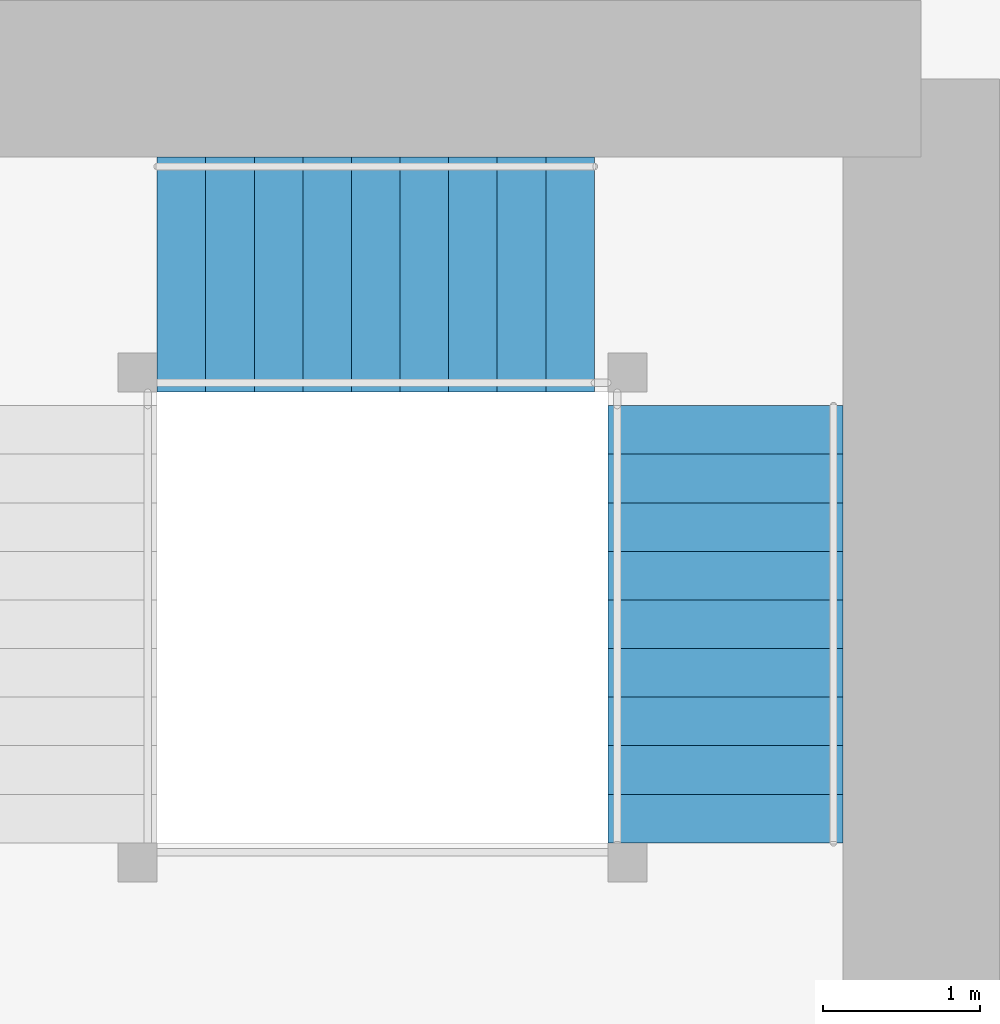
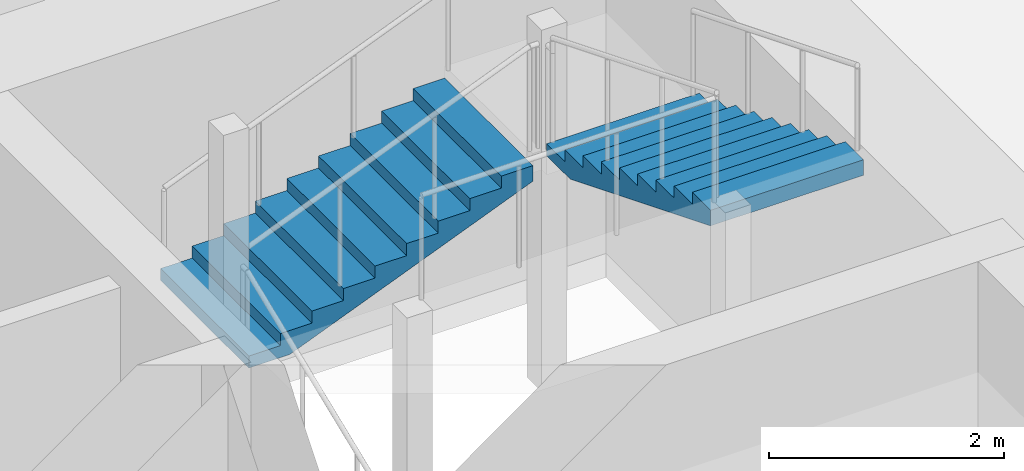
# One storey, part 31 of 39: 2 stair flights, 1 element without a shape of its own.
"""IFC4 building model written with IfcOpenShell, lengths in metres."""

from ifc_helpers import new_model, si_unit, direction, frame, origin, place, context, subcontext, project, spatial, polyline, outline, extrude, material, type_object, element, aggregate, save


model = new_model("IFC4")

# Units and contexts
model_context = context("Model", 3, precision=1e-05, world=origin(), true_north=direction((0.0, 1.0)))
body_context = subcontext(model_context, "Body", "Model", "MODEL_VIEW")
ifc_project = project(units=[si_unit("LENGTHUNIT", "METRE"), si_unit("AREAUNIT", "SQUARE_METRE"), si_unit("VOLUMEUNIT", "CUBIC_METRE"), si_unit("PLANEANGLEUNIT", "RADIAN"), si_unit("MASSUNIT", "GRAM", prefix="KILO")], contexts=[model_context])

# Site, building, storey
site_placement = place(None, origin())
site = spatial("IfcSite", under=ifc_project, at=site_placement, CompositionType="ELEMENT")
building_placement = place(site_placement, origin())
building = spatial("IfcBuilding", under=site, at=building_placement, Name="Rekha Terrace Tower", CompositionType="ELEMENT")
storey_placement = place(building_placement, frame((0.0, 0.0, 180.199951171875)))
storey = spatial("IfcBuildingStorey", under=building, at=storey_placement, Name="L45", CompositionType="ELEMENT", Elevation=180.199951171875)

# Stair, stair flights
ifc_material = material(Name="Concrete M40", Category="concrete")
stair_type = type_object("IfcStairType", Name="ST30 stair, 30 risers of 125, going 310, 1500 wide flights, 3 flights", PredefinedType="HALF_TURN_STAIR", material=ifc_material)
stair_placement = place(storey_placement, origin())
stair = element("IfcStair", 1, at=stair_placement, inside=storey, type_object=stair_type, Name="Stair ST2 L45 to L46", PredefinedType="HALF_TURN_STAIR")
stair_flight_type = type_object("IfcStairFlightType", Name="SF10 stair flight, 10 risers of 125, going 310, 1500 wide", PredefinedType="STRAIGHT", material=ifc_material)
stair_flight_1_placement = place(storey_placement, frame((45.52490234375, 44.949951171875, 1.25), z_axis=(0.0, 0.0, 1.0), x_axis=(1.0, 0.0, 0.0)))
stair_flight_1 = element("IfcStairFlight", 2, at=stair_flight_1_placement, type_object=stair_flight_type, Name="ST2 flight 2", NumberOfRisers=10, NumberOfTreads=9, PredefinedType="STRAIGHT", RiserHeight=0.125, TreadLength=0.31, context=body_context, shape_type="SweptSolid", body=[
    extrude(outline(polyline([(0.0, 0.0), (0.0, 0.125), (0.31005859375, 0.125), (0.31005859375, 0.25), (0.6201171875, 0.25), (0.6201171875, 0.375), (0.929931640625, 0.375), (0.929931640625, 0.5), (1.239990234375, 0.5), (1.239990234375, 0.625), (1.550048828125, 0.625), (1.550048828125, 0.75), (1.860107421875, 0.75), (1.860107421875, 0.875), (2.169921875, 0.875), (2.169921875, 1.0), (2.47998046875, 1.0), (2.47998046875, 1.125), (2.7900390625, 1.125), (2.7900390625, 1.25), (2.7900390625, 0.96337890625), (0.40087890625, 0.0), (0.0, 0.0)])), frame((0.0, 0.75, 0.0), z_axis=(0.0, -1.0, 0.0), x_axis=(1.0, 0.0, 0.0)), (0.0, 0.0, 1.0), 1.5),
])
stair_flight_2_placement = place(storey_placement, frame((49.14990234375, 44.114990234375, 2.5), z_axis=(0.0, 0.0, 1.0), x_axis=(0.0, -1.0, 0.0)))
stair_flight_2 = element("IfcStairFlight", 3, at=stair_flight_2_placement, type_object=stair_flight_type, Name="ST2 flight 3", NumberOfRisers=10, NumberOfTreads=9, PredefinedType="STRAIGHT", RiserHeight=0.125, TreadLength=0.31, context=body_context, shape_type="SweptSolid", body=[
    extrude(outline(polyline([(0.0, 0.0), (0.0, 0.125), (0.31005859375, 0.125), (0.31005859375, 0.25), (0.6201171875, 0.25), (0.6201171875, 0.375), (0.929931640625, 0.375), (0.929931640625, 0.5), (1.239990234375, 0.5), (1.239990234375, 0.625), (1.550048828125, 0.625), (1.550048828125, 0.75), (1.860107421875, 0.75), (1.860107421875, 0.875), (2.169921875, 0.875), (2.169921875, 1.0), (2.47998046875, 1.0), (2.47998046875, 1.125), (2.7900390625, 1.125), (2.7900390625, 1.25), (2.7900390625, 0.96337890625), (0.40087890625, 0.0), (0.0, 0.0)])), frame((0.0, 0.75, 0.0), z_axis=(0.0, -1.0, 0.0), x_axis=(1.0, 0.0, 0.0)), (0.0, 0.0, 1.0), 1.5),
])
aggregate(stair, [stair_flight_1, stair_flight_2])

save(model, "model.ifc")
